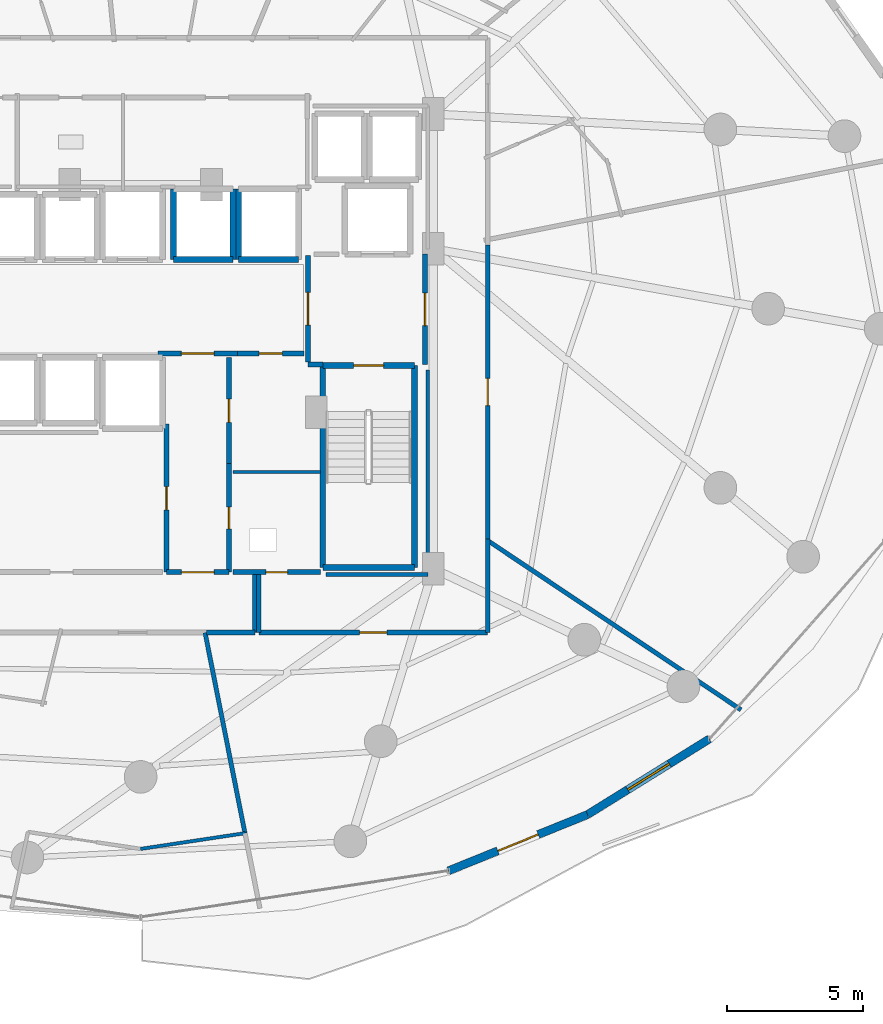
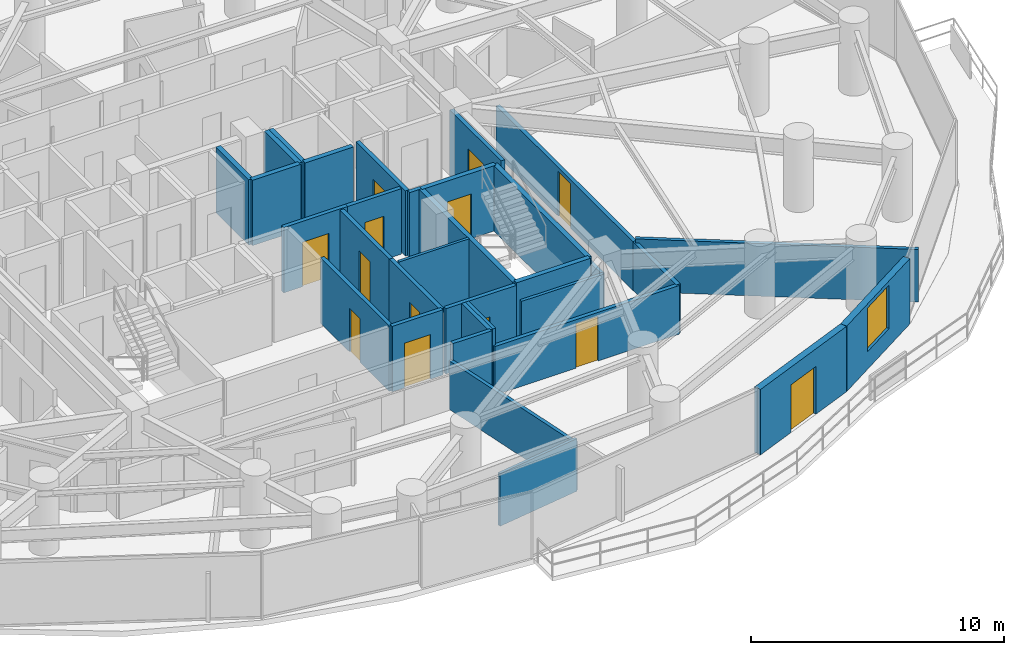
# One storey, part 28 of 34: 33 walls, 13 doors, 1 window, 14 openings.
"""IFC4 building model written with IfcOpenShell, lengths in metres."""

from ifc_helpers import new_model, si_unit, direction, frame, frame_2d, origin, place, context, subcontext, project, spatial, rectangle, extrude, material, layer, layer_set, type_object, element, fill, save


model = new_model("IFC4")

# Units and contexts
model_context = context("Model", 3, precision=1e-05, world=origin(), true_north=direction((0.0, 1.0)))
body_context = subcontext(model_context, "Body", "Model", "MODEL_VIEW")
ifc_project = project(units=[si_unit("LENGTHUNIT", "METRE"), si_unit("AREAUNIT", "SQUARE_METRE"), si_unit("VOLUMEUNIT", "CUBIC_METRE"), si_unit("PLANEANGLEUNIT", "RADIAN"), si_unit("MASSUNIT", "GRAM", prefix="KILO")], contexts=[model_context])

# Site, building, storey
site_placement = place(None, origin())
site = spatial("IfcSite", under=ifc_project, at=site_placement, CompositionType="ELEMENT")
building_placement = place(site_placement, origin())
building = spatial("IfcBuilding", under=site, at=building_placement, Name="Vorneva Point Tower", CompositionType="ELEMENT")
storey_placement = place(building_placement, frame((0.0, 0.0, 66.0)))
storey = spatial("IfcBuildingStorey", under=building, at=storey_placement, Name="L17", CompositionType="ELEMENT", Elevation=66.0)

# Wall, opening, door
ifc_material_1 = material(Name="Precast concrete B50 (C40/50)", Category="concrete")
ifc_layer_1 = layer(ifc_material_1, 0.300048828125)
ifc_layer_set_1 = layer_set([ifc_layer_1], Name="Precast concrete B50 (C40/50)")
wall_type_1 = type_object("IfcWallType", Name="WL-EXT-300", PredefinedType="STANDARD", material=ifc_layer_set_1)
wall_1_placement = place(storey_placement, frame((49.308349609375, 5.351318359375, 0.0), z_axis=(0.0, 0.0, 1.0), x_axis=(0.927095325176, 0.374825636845, 0.0)))
wall_1 = element("IfcWall", 1, at=wall_1_placement, inside=storey, type_object=wall_type_1, Name="L17 Pale-Metal Facade Spandrel Wall 14.1", PredefinedType="STANDARD", context=body_context, shape_type="SweptSolid", body=[
    extrude(rectangle(XDim=5.51025390625, YDim=0.300048828125, at=frame_2d((2.755126953125, 0.0))), origin(), (0.0, 0.0, 1.0), 3.14990234375),
])
opening_1_placement = place(wall_1_placement, frame((1.955322265625, 0.0, 0.0)))
opening_1 = element("IfcOpeningElement", 2, at=opening_1_placement, cuts=wall_1, Name="Opening BD-01", PredefinedType="OPENING", context=body_context, shape_type="SweptSolid", body=[
    extrude(rectangle(XDim=1.60009765625, YDim=2.300048828125, at=frame_2d((0.800048828125, 1.14990234375))), frame((0.0, 0.1650390625, 0.0), z_axis=(0.0, -1.0, 0.0), x_axis=(1.0, 0.0, 0.0)), (0.0, 0.0, 1.0), 0.329833984375),
])
ifc_material_2 = material(Name="Pale anodised aluminium", Category="aluminium")
door_type_1 = type_object("IfcDoorType", Name="DR-BAL-1600", OperationType="SLIDING_TO_LEFT", PredefinedType="DOOR", material=ifc_material_2)
door_1_placement = place(opening_1_placement, origin())
door_1 = element("IfcDoor", 3, at=door_1_placement, inside=storey, type_object=door_type_1, Name="L17 Balcony Terrace Access Door 14", OperationType="SLIDING_TO_LEFT", OverallHeight=2.300048828125, OverallWidth=1.60009765625, PredefinedType="DOOR", context=body_context, shape_type="SweptSolid", body=[
    extrude(rectangle(XDim=1.60009765625, YDim=2.300048828125, at=frame_2d((0.800048828125, 1.14990234375))), frame((0.0, 0.02490234375, 0.0), z_axis=(0.0, -1.0, 0.0), x_axis=(1.0, 0.0, 0.0)), (0.0, 0.0, 1.0), 0.050048828125),
])
fill(opening_1, door_1)

# Wall, opening, window
wall_2_placement = place(storey_placement, frame((54.4169921875, 7.416748046875, 0.0), z_axis=(0.0, 0.0, 1.0), x_axis=(0.849633724826, 0.527373239404, 0.0)))
wall_2 = element("IfcWall", 4, at=wall_2_placement, inside=storey, type_object=wall_type_1, Name="L17 Pale-Metal Facade Spandrel Wall 14.2", PredefinedType="STANDARD", context=body_context, shape_type="SweptSolid", body=[
    extrude(rectangle(XDim=5.2705078125, YDim=0.300048828125, at=frame_2d((2.63525390625, 0.0))), origin(), (0.0, 0.0, 1.0), 3.14990234375),
])
opening_2_placement = place(wall_2_placement, frame((1.735107421875, 0.0, 0.85009765625)))
opening_2 = element("IfcOpeningElement", 5, at=opening_2_placement, cuts=wall_2, Name="Opening W-01", PredefinedType="OPENING", context=body_context, shape_type="SweptSolid", body=[
    extrude(rectangle(XDim=1.800048828125, YDim=2.10009765625, at=frame_2d((0.89990234375, 1.050048828125))), frame((0.0, 0.1650390625, 0.0), z_axis=(0.0, -1.0, 0.0), x_axis=(1.0, 0.0, 0.0)), (0.0, 0.0, 1.0), 0.329833984375),
])
ifc_material_3 = material(Name="Double low-e laminated glass IGU", Category="glass")
window_type = type_object("IfcWindowType", Name="WN-LOG-1800", PartitioningType="SINGLE_PANEL", PredefinedType="WINDOW", material=ifc_material_3)
window_placement = place(opening_2_placement, origin())
window = element("IfcWindow", 6, at=window_placement, inside=storey, type_object=window_type, Name="L17 Facade Window 14", OverallHeight=2.10009765625, OverallWidth=1.800048828125, PartitioningType="SINGLE_PANEL", PredefinedType="WINDOW", context=body_context, shape_type="SweptSolid", body=[
    extrude(rectangle(XDim=1.800048828125, YDim=2.10009765625, at=frame_2d((0.89990234375, 1.050048828125))), frame((0.0, 0.030029296875, 0.0), z_axis=(0.0, -1.0, 0.0), x_axis=(1.0, 0.0, 0.0)), (0.0, 0.0, 1.0), 0.06005859375),
])
fill(opening_2, window)

# Walls
ifc_material_4 = material(Name="Fire-rated acoustic gypsum stud partition", Category="gypsum")
ifc_layer_2 = layer(ifc_material_4, 0.125)
ifc_layer_set_2 = layer_set([ifc_layer_2], Name="Fire-rated acoustic gypsum stud partition")
wall_type_2 = type_object("IfcWallType", Name="WL-PART-125", PredefinedType="PARTITIONING", material=ifc_layer_set_2)
wall_3_placement = place(storey_placement, frame((44.60009765625, 20.0, 0.0), z_axis=(0.0, 0.0, 1.0), x_axis=(-1.0, 0.0, 0.0)))
element("IfcWall", 7, at=wall_3_placement, inside=storey, type_object=wall_type_2, Name="L17 Interior Partition 015", PredefinedType="PARTITIONING", context=body_context, shape_type="SweptSolid", body=[
    extrude(rectangle(XDim=3.2001953125, YDim=0.125, at=frame_2d((1.60009765625, 0.0))), origin(), (0.0, 0.0, 1.0), 3.14990234375),
])
wall_4_placement = place(storey_placement, frame((38.0, 6.156005859375, 0.0), z_axis=(0.0, 0.0, 1.0), x_axis=(0.988862311426, 0.148833225599, 0.0)))
element("IfcWall", 8, at=wall_4_placement, inside=storey, type_object=wall_type_2, Name="L17 Interior Partition 087", PredefinedType="PARTITIONING", context=body_context, shape_type="SweptSolid", body=[
    extrude(rectangle(XDim=3.876220703125, YDim=0.125, at=frame_2d((1.93798828125, 0.0))), origin(), (0.0, 0.0, 1.0), 2.533935546875),
])
ifc_layer_3 = layer(ifc_material_4, 0.139892578125)
ifc_layer_set_3 = layer_set([ifc_layer_3], Name="Fire-rated acoustic gypsum stud partition")
wall_type_3 = type_object("IfcWallType", Name="WL-PART-140", PredefinedType="PARTITIONING", material=ifc_layer_set_3)
wall_5_placement = place(storey_placement, frame((48.550048828125, 23.75390625, 0.0), z_axis=(0.0, 0.0, 1.0), x_axis=(0.0, -1.0, 0.0)))
element("IfcWall", 9, at=wall_5_placement, inside=storey, type_object=wall_type_3, Name="L17 Interior Closure Partition 102", PredefinedType="PARTITIONING", context=body_context, shape_type="SweptSolid", body=[
    extrude(rectangle(XDim=7.513916015625, YDim=0.139892578125, at=frame_2d((3.7568359375, 0.0))), origin(), (0.0, 0.0, 1.0), 2.342041015625),
])
wall_6_placement = place(storey_placement, frame((48.550048828125, 16.239990234375, 0.0), z_axis=(0.0, 0.0, 1.0), x_axis=(-1.0, 0.0, 0.0)))
element("IfcWall", 10, at=wall_6_placement, inside=storey, type_object=wall_type_3, Name="L17 Interior Closure Partition 103", PredefinedType="PARTITIONING", context=body_context, shape_type="SweptSolid", body=[
    extrude(rectangle(XDim=3.7451171875, YDim=0.139892578125, at=frame_2d((1.87255859375, 0.0))), origin(), (0.0, 0.0, 1.0), 2.342041015625),
])
ifc_layer_4 = layer(ifc_material_4, 0.159912109375)
ifc_layer_set_4 = layer_set([ifc_layer_4], Name="Fire-rated acoustic gypsum stud partition")
wall_type_4 = type_object("IfcWallType", Name="WL-PART-160", PredefinedType="PARTITIONING", material=ifc_layer_set_4)
wall_7_placement = place(storey_placement, frame((41.8330078125, 6.73291015625, 0.0), z_axis=(0.0, 0.0, 1.0), x_axis=(-0.195172247164, 0.980768980921, 0.0)))
element("IfcWall", 11, at=wall_7_placement, inside=storey, type_object=wall_type_4, Name="L17 Interior Partition 089", PredefinedType="PARTITIONING", context=body_context, shape_type="SweptSolid", body=[
    extrude(rectangle(XDim=7.51171875, YDim=0.159912109375, at=frame_2d((3.755859375, 0.0))), origin(), (0.0, 0.0, 1.0), 2.342041015625),
])
wall_8_placement = place(storey_placement, frame((60.052978515625, 11.264892578125, 0.0), z_axis=(0.0, 0.0, 1.0), x_axis=(-0.831469078055, 0.555571032577, 0.0)))
element("IfcWall", 12, at=wall_8_placement, inside=storey, type_object=wall_type_4, Name="L17 Interior Partition 091", PredefinedType="PARTITIONING", context=body_context, shape_type="SweptSolid", body=[
    extrude(rectangle(XDim=11.188720703125, YDim=0.159912109375, at=frame_2d((5.59423828125, 0.0))), origin(), (0.0, 0.0, 1.0), 2.533935546875),
])

# Wall, opening, door
ifc_material_5 = material(Name="Autoclaved aerated concrete blockwork", Category="masonry")
ifc_layer_5 = layer(ifc_material_5, 0.179931640625)
ifc_layer_set_5 = layer_set([ifc_layer_5], Name="Autoclaved aerated concrete blockwork")
wall_type_5 = type_object("IfcWallType", Name="WL-PART-180", PredefinedType="PARTITIONING", material=ifc_layer_set_5)
wall_9_placement = place(storey_placement, frame((44.14990234375, 27.955078125, 0.0), z_axis=(0.0, 0.0, 1.0), x_axis=(0.0, -1.0, 0.0)))
wall_9 = element("IfcWall", 13, at=wall_9_placement, inside=storey, type_object=wall_type_5, Name="L17 Interior Partition 003", PredefinedType="PARTITIONING", context=body_context, shape_type="SweptSolid", body=[
    extrude(rectangle(XDim=3.91015625, YDim=0.179931640625, at=frame_2d((1.955078125, 0.0))), origin(), (0.0, 0.0, 1.0), 3.14990234375),
])
opening_3_placement = place(wall_9_placement, frame((1.35498046875, 0.0, 0.0)))
opening_3 = element("IfcOpeningElement", 14, at=opening_3_placement, cuts=wall_9, Name="Opening FD-02", PredefinedType="OPENING", context=body_context, shape_type="SweptSolid", body=[
    extrude(rectangle(XDim=1.199951171875, YDim=2.14990234375, at=frame_2d((0.60009765625, 1.074951171875))), frame((0.0, 0.10498046875, 0.0), z_axis=(0.0, -1.0, 0.0), x_axis=(1.0, 0.0, 0.0)), (0.0, 0.0, 1.0), 0.209716796875),
])
ifc_material_6 = material(Name="Fire-rated powder-coated steel", Category="steel")
door_type_2 = type_object("IfcDoorType", Name="DR-FFL-1200", OperationType="NOTDEFINED", PredefinedType="DOOR", material=ifc_material_6)
door_2_placement = place(opening_3_placement, origin())
door_2 = element("IfcDoor", 15, at=door_2_placement, inside=storey, type_object=door_type_2, Name="L17 Door East Firefighting Lobby / Central Lift Lobby", OperationType="SINGLE_SWING_LEFT", OverallHeight=2.14990234375, OverallWidth=1.199951171875, PredefinedType="DOOR", context=body_context, shape_type="SweptSolid", body=[
    extrude(rectangle(XDim=1.199951171875, YDim=2.14990234375, at=frame_2d((0.60009765625, 1.074951171875))), frame((0.0, 0.02490234375, 0.0), z_axis=(0.0, -1.0, 0.0), x_axis=(1.0, 0.0, 0.0)), (0.0, 0.0, 1.0), 0.050048828125),
])
fill(opening_3, door_2)

# Wall
wall_10_placement = place(storey_placement, frame((44.14990234375, 23.949951171875, 0.0), z_axis=(0.0, 0.0, 1.0), x_axis=(1.0, 0.0, 0.0)))
element("IfcWall", 16, at=wall_10_placement, inside=storey, type_object=wall_type_5, Name="L17 Interior Partition 004", PredefinedType="PARTITIONING", context=body_context, shape_type="SweptSolid", body=[
    extrude(rectangle(XDim=0.5400390625, YDim=0.179931640625, at=frame_2d((0.27001953125, 0.0))), origin(), (0.0, 0.0, 1.0), 3.14990234375),
])

# Wall, opening, door
wall_11_placement = place(storey_placement, frame((48.449951171875, 23.949951171875, 0.0), z_axis=(0.0, 0.0, 1.0), x_axis=(0.0, 1.0, 0.0)))
wall_11 = element("IfcWall", 17, at=wall_11_placement, inside=storey, type_object=wall_type_5, Name="L17 Interior Partition 005", PredefinedType="PARTITIONING", context=body_context, shape_type="SweptSolid", body=[
    extrude(rectangle(XDim=4.050048828125, YDim=0.179931640625, at=frame_2d((2.02490234375, 0.0))), origin(), (0.0, 0.0, 1.0), 3.14990234375),
])
opening_4_placement = place(wall_11_placement, frame((1.425048828125, 0.0, 0.0)))
opening_4 = element("IfcOpeningElement", 18, at=opening_4_placement, cuts=wall_11, Name="Opening FD-02", PredefinedType="OPENING", context=body_context, shape_type="SweptSolid", body=[
    extrude(rectangle(XDim=1.199951171875, YDim=2.14990234375, at=frame_2d((0.60009765625, 1.074951171875))), frame((0.0, 0.10498046875, 0.0), z_axis=(0.0, -1.0, 0.0), x_axis=(1.0, 0.0, 0.0)), (0.0, 0.0, 1.0), 0.209716796875),
])
door_3_placement = place(opening_4_placement, origin())
door_3 = element("IfcDoor", 19, at=door_3_placement, inside=storey, type_object=door_type_2, Name="L17 Door East Firefighting Lobby / L17 Circulation Corridor", OperationType="SINGLE_SWING_LEFT", OverallHeight=2.14990234375, OverallWidth=1.199951171875, PredefinedType="DOOR", context=body_context, shape_type="SweptSolid", body=[
    extrude(rectangle(XDim=1.199951171875, YDim=2.14990234375, at=frame_2d((0.60009765625, 1.074951171875))), frame((0.0, 0.02490234375, 0.0), z_axis=(0.0, -1.0, 0.0), x_axis=(1.0, 0.0, 0.0)), (0.0, 0.0, 1.0), 0.050048828125),
])
fill(opening_4, door_3)

wall_12_placement = place(storey_placement, frame((38.64501953125, 24.35009765625, 0.0), z_axis=(0.0, 0.0, 1.0), x_axis=(1.0, 0.0, 0.0)))
wall_12 = element("IfcWall", 20, at=wall_12_placement, inside=storey, type_object=wall_type_5, Name="L17 Interior Partition 009", PredefinedType="PARTITIONING", context=body_context, shape_type="SweptSolid", body=[
    extrude(rectangle(XDim=2.909912109375, YDim=0.179931640625, at=frame_2d((1.455078125, 0.0))), origin(), (0.0, 0.0, 1.0), 3.14990234375),
])
opening_5_placement = place(wall_12_placement, frame((0.85498046875, 0.0, 0.0)))
opening_5 = element("IfcOpeningElement", 21, at=opening_5_placement, cuts=wall_12, Name="Opening FD-02", PredefinedType="OPENING", context=body_context, shape_type="SweptSolid", body=[
    extrude(rectangle(XDim=1.199951171875, YDim=2.14990234375, at=frame_2d((0.60009765625, 1.074951171875))), frame((0.0, 0.10498046875, 0.0), z_axis=(0.0, -1.0, 0.0), x_axis=(1.0, 0.0, 0.0)), (0.0, 0.0, 1.0), 0.209716796875),
])
door_4_placement = place(opening_5_placement, origin())
door_4 = element("IfcDoor", 22, at=door_4_placement, inside=storey, type_object=door_type_2, Name="L17 Door Central Lift Lobby / Core Service Lobby", OperationType="SINGLE_SWING_RIGHT", OverallHeight=2.14990234375, OverallWidth=1.199951171875, PredefinedType="DOOR", context=body_context, shape_type="SweptSolid", body=[
    extrude(rectangle(XDim=1.199951171875, YDim=2.14990234375, at=frame_2d((0.60009765625, 1.074951171875))), frame((0.0, 0.02490234375, 0.0), z_axis=(0.0, -1.0, 0.0), x_axis=(1.0, 0.0, 0.0)), (0.0, 0.0, 1.0), 0.050048828125),
])
fill(opening_5, door_4)

wall_13_placement = place(storey_placement, frame((41.554931640625, 24.35009765625, 0.0), z_axis=(0.0, 0.0, 1.0), x_axis=(1.0, 0.0, 0.0)))
wall_13 = element("IfcWall", 23, at=wall_13_placement, inside=storey, type_object=wall_type_5, Name="L17 Interior Partition 010", PredefinedType="PARTITIONING", context=body_context, shape_type="SweptSolid", body=[
    extrude(rectangle(XDim=2.445068359375, YDim=0.179931640625, at=frame_2d((1.22265625, 0.0))), origin(), (0.0, 0.0, 1.0), 3.14990234375),
])
opening_6_placement = place(wall_13_placement, frame((0.797607421875, 0.0, 0.0)))
opening_6 = element("IfcOpeningElement", 24, at=opening_6_placement, cuts=wall_13, Name="Opening ID-02", PredefinedType="OPENING", context=body_context, shape_type="SweptSolid", body=[
    extrude(rectangle(XDim=0.85009765625, YDim=2.10009765625, at=frame_2d((0.425048828125, 1.050048828125))), frame((0.0, 0.10498046875, 0.0), z_axis=(0.0, -1.0, 0.0), x_axis=(1.0, 0.0, 0.0)), (0.0, 0.0, 1.0), 0.209716796875),
])
ifc_material_7 = material(Name="Engineered oak fire-rated door leaf", Category="wood")
door_type_3 = type_object("IfcDoorType", Name="DR-BATH-850", OperationType="NOTDEFINED", PredefinedType="DOOR", material=ifc_material_7)
door_5_placement = place(opening_6_placement, origin())
door_5 = element("IfcDoor", 25, at=door_5_placement, inside=storey, type_object=door_type_3, Name="L17 Door Central Lift Lobby / Cleaners Store", OperationType="SINGLE_SWING_LEFT", OverallHeight=2.10009765625, OverallWidth=0.85009765625, PredefinedType="DOOR", context=body_context, shape_type="SweptSolid", body=[
    extrude(rectangle(XDim=0.85009765625, YDim=2.10009765625, at=frame_2d((0.425048828125, 1.050048828125))), frame((0.0, 0.02490234375, 0.0), z_axis=(0.0, -1.0, 0.0), x_axis=(1.0, 0.0, 0.0)), (0.0, 0.0, 1.0), 0.050048828125),
])
fill(opening_6, door_5)

wall_14_placement = place(storey_placement, frame((41.25, 16.320068359375, 0.0), z_axis=(0.0, 0.0, 1.0), x_axis=(0.0, 1.0, 0.0)))
wall_14 = element("IfcWall", 26, at=wall_14_placement, inside=storey, type_object=wall_type_5, Name="L17 Interior Partition 011", PredefinedType="PARTITIONING", context=body_context, shape_type="SweptSolid", body=[
    extrude(rectangle(XDim=3.98486328125, YDim=0.179931640625, at=frame_2d((1.992431640625, 0.0))), origin(), (0.0, 0.0, 1.0), 3.14990234375),
])
opening_7_placement = place(wall_14_placement, frame((1.592529296875, 0.0, 0.0)))
opening_7 = element("IfcOpeningElement", 27, at=opening_7_placement, cuts=wall_14, Name="Opening RD-01", PredefinedType="OPENING", context=body_context, shape_type="SweptSolid", body=[
    extrude(rectangle(XDim=0.800048828125, YDim=2.050048828125, at=frame_2d((0.39990234375, 1.02490234375))), frame((0.0, 0.10498046875, 0.0), z_axis=(0.0, -1.0, 0.0), x_axis=(1.0, 0.0, 0.0)), (0.0, 0.0, 1.0), 0.209716796875),
])
door_type_4 = type_object("IfcDoorType", Name="DR-RSR-800", OperationType="SINGLE_SWING_LEFT", PredefinedType="DOOR", material=ifc_material_6)
door_6_placement = place(opening_7_placement, origin())
door_6 = element("IfcDoor", 28, at=door_6_placement, inside=storey, type_object=door_type_4, Name="L17 Door Core Service Lobby / Electrical Riser", OperationType="SINGLE_SWING_RIGHT", OverallHeight=2.050048828125, OverallWidth=0.800048828125, PredefinedType="DOOR", context=body_context, shape_type="SweptSolid", body=[
    extrude(rectangle(XDim=0.800048828125, YDim=2.050048828125, at=frame_2d((0.39990234375, 1.02490234375))), frame((0.0, 0.02490234375, 0.0), z_axis=(0.0, -1.0, 0.0), x_axis=(1.0, 0.0, 0.0)), (0.0, 0.0, 1.0), 0.050048828125),
])
fill(opening_7, door_6)

wall_15_placement = place(storey_placement, frame((41.25, 20.304931640625, 0.0), z_axis=(0.0, 0.0, 1.0), x_axis=(0.0, 1.0, 0.0)))
wall_15 = element("IfcWall", 29, at=wall_15_placement, inside=storey, type_object=wall_type_5, Name="L17 Interior Partition 012", PredefinedType="PARTITIONING", context=body_context, shape_type="SweptSolid", body=[
    extrude(rectangle(XDim=3.89501953125, YDim=0.179931640625, at=frame_2d((1.947509765625, 0.0))), origin(), (0.0, 0.0, 1.0), 3.14990234375),
])
opening_8_placement = place(wall_15_placement, frame((1.5224609375, 0.0, 0.0)))
opening_8 = element("IfcOpeningElement", 30, at=opening_8_placement, cuts=wall_15, Name="Opening ID-02", PredefinedType="OPENING", context=body_context, shape_type="SweptSolid", body=[
    extrude(rectangle(XDim=0.85009765625, YDim=2.10009765625, at=frame_2d((0.425048828125, 1.050048828125))), frame((0.0, 0.10498046875, 0.0), z_axis=(0.0, -1.0, 0.0), x_axis=(1.0, 0.0, 0.0)), (0.0, 0.0, 1.0), 0.209716796875),
])
door_7_placement = place(opening_8_placement, origin())
door_7 = element("IfcDoor", 31, at=door_7_placement, inside=storey, type_object=door_type_3, Name="L17 Door Core Service Lobby / Cleaners Store", OperationType="SINGLE_SWING_LEFT", OverallHeight=2.10009765625, OverallWidth=0.85009765625, PredefinedType="DOOR", context=body_context, shape_type="SweptSolid", body=[
    extrude(rectangle(XDim=0.85009765625, YDim=2.10009765625, at=frame_2d((0.425048828125, 1.050048828125))), frame((0.0, 0.02490234375, 0.0), z_axis=(0.0, -1.0, 0.0), x_axis=(1.0, 0.0, 0.0)), (0.0, 0.0, 1.0), 0.050048828125),
])
fill(opening_8, door_7)

wall_16_placement = place(storey_placement, frame((38.949951171875, 21.7548828125, 0.0), z_axis=(0.0, 0.0, 1.0), x_axis=(0.0, -1.0, 0.0)))
wall_16 = element("IfcWall", 32, at=wall_16_placement, inside=storey, type_object=wall_type_5, Name="L17 Interior Partition 013", PredefinedType="PARTITIONING", context=body_context, shape_type="SweptSolid", body=[
    extrude(rectangle(XDim=5.434814453125, YDim=0.179931640625, at=frame_2d((2.71728515625, 0.0))), origin(), (0.0, 0.0, 1.0), 3.14990234375),
])
opening_9_placement = place(wall_16_placement, frame((2.29248046875, 0.0, 0.0)))
opening_9 = element("IfcOpeningElement", 33, at=opening_9_placement, cuts=wall_16, Name="Opening ID-02", PredefinedType="OPENING", context=body_context, shape_type="SweptSolid", body=[
    extrude(rectangle(XDim=0.85009765625, YDim=2.10009765625, at=frame_2d((0.425048828125, 1.050048828125))), frame((0.0, 0.10498046875, 0.0), z_axis=(0.0, -1.0, 0.0), x_axis=(1.0, 0.0, 0.0)), (0.0, 0.0, 1.0), 0.209716796875),
])
door_8_placement = place(opening_9_placement, origin())
door_8 = element("IfcDoor", 34, at=door_8_placement, inside=storey, type_object=door_type_3, Name="L17 Door Core Service Lobby / Housekeeping and Linen Room", OperationType="SINGLE_SWING_RIGHT", OverallHeight=2.10009765625, OverallWidth=0.85009765625, PredefinedType="DOOR", context=body_context, shape_type="SweptSolid", body=[
    extrude(rectangle(XDim=0.85009765625, YDim=2.10009765625, at=frame_2d((0.425048828125, 1.050048828125))), frame((0.0, 0.02490234375, 0.0), z_axis=(0.0, -1.0, 0.0), x_axis=(1.0, 0.0, 0.0)), (0.0, 0.0, 1.0), 0.050048828125),
])
fill(opening_9, door_8)

wall_17_placement = place(storey_placement, frame((38.949951171875, 16.320068359375, 0.0), z_axis=(0.0, 0.0, 1.0), x_axis=(1.0, 0.0, 0.0)))
wall_17 = element("IfcWall", 35, at=wall_17_placement, inside=storey, type_object=wall_type_5, Name="L17 Interior Partition 014", PredefinedType="PARTITIONING", context=body_context, shape_type="SweptSolid", body=[
    extrude(rectangle(XDim=2.300048828125, YDim=0.179931640625, at=frame_2d((1.14990234375, 0.0))), origin(), (0.0, 0.0, 1.0), 3.14990234375),
])
opening_10_placement = place(wall_17_placement, frame((0.550048828125, 0.0, 0.0)))
opening_10 = element("IfcOpeningElement", 36, at=opening_10_placement, cuts=wall_17, Name="Opening FD-02", PredefinedType="OPENING", context=body_context, shape_type="SweptSolid", body=[
    extrude(rectangle(XDim=1.199951171875, YDim=2.14990234375, at=frame_2d((0.60009765625, 1.074951171875))), frame((0.0, 0.10498046875, 0.0), z_axis=(0.0, -1.0, 0.0), x_axis=(1.0, 0.0, 0.0)), (0.0, 0.0, 1.0), 0.209716796875),
])
door_9_placement = place(opening_10_placement, origin())
door_9 = element("IfcDoor", 37, at=door_9_placement, inside=storey, type_object=door_type_2, Name="L17 Door Core Service Lobby / L17 Circulation Corridor", OperationType="SINGLE_SWING_LEFT", OverallHeight=2.14990234375, OverallWidth=1.199951171875, PredefinedType="DOOR", context=body_context, shape_type="SweptSolid", body=[
    extrude(rectangle(XDim=1.199951171875, YDim=2.14990234375, at=frame_2d((0.60009765625, 1.074951171875))), frame((0.0, 0.02490234375, 0.0), z_axis=(0.0, -1.0, 0.0), x_axis=(1.0, 0.0, 0.0)), (0.0, 0.0, 1.0), 0.050048828125),
])
fill(opening_10, door_9)

wall_18_placement = place(storey_placement, frame((41.39990234375, 16.320068359375, 0.0), z_axis=(0.0, 0.0, 1.0), x_axis=(1.0, 0.0, 0.0)))
wall_18 = element("IfcWall", 38, at=wall_18_placement, inside=storey, type_object=wall_type_5, Name="L17 Interior Partition 016", PredefinedType="PARTITIONING", context=body_context, shape_type="SweptSolid", body=[
    extrude(rectangle(XDim=3.2001953125, YDim=0.179931640625, at=frame_2d((1.60009765625, 0.0))), origin(), (0.0, 0.0, 1.0), 3.14990234375),
])
opening_11_placement = place(wall_18_placement, frame((1.199951171875, 0.0, 0.0)))
opening_11 = element("IfcOpeningElement", 39, at=opening_11_placement, cuts=wall_18, Name="Opening RD-01", PredefinedType="OPENING", context=body_context, shape_type="SweptSolid", body=[
    extrude(rectangle(XDim=0.800048828125, YDim=2.050048828125, at=frame_2d((0.39990234375, 1.02490234375))), frame((0.0, 0.10498046875, 0.0), z_axis=(0.0, -1.0, 0.0), x_axis=(1.0, 0.0, 0.0)), (0.0, 0.0, 1.0), 0.209716796875),
])
door_10_placement = place(opening_11_placement, origin())
door_10 = element("IfcDoor", 40, at=door_10_placement, inside=storey, type_object=door_type_4, Name="L17 Door Electrical Riser / L17 Circulation Corridor", OperationType="SINGLE_SWING_RIGHT", OverallHeight=2.050048828125, OverallWidth=0.800048828125, PredefinedType="DOOR", context=body_context, shape_type="SweptSolid", body=[
    extrude(rectangle(XDim=0.800048828125, YDim=2.050048828125, at=frame_2d((0.39990234375, 1.02490234375))), frame((0.0, 0.02490234375, 0.0), z_axis=(0.0, -1.0, 0.0), x_axis=(1.0, 0.0, 0.0)), (0.0, 0.0, 1.0), 0.050048828125),
])
fill(opening_11, door_10)

# Wall
wall_19_placement = place(storey_placement, frame((42.340087890625, 16.239990234375, 0.0), z_axis=(0.0, 0.0, 1.0), x_axis=(0.0, -1.0, 0.0)))
element("IfcWall", 41, at=wall_19_placement, inside=storey, type_object=wall_type_5, Name="L17 Interior Partition 043", PredefinedType="PARTITIONING", context=body_context, shape_type="SweptSolid", body=[
    extrude(rectangle(XDim=2.139892578125, YDim=0.179931640625, at=frame_2d((1.06982421875, 0.0))), origin(), (0.0, 0.0, 1.0), 3.14990234375),
])

# Wall, opening, door
wall_20_placement = place(storey_placement, frame((42.340087890625, 14.10009765625, 0.0), z_axis=(0.0, 0.0, 1.0), x_axis=(1.0, 0.0, 0.0)))
wall_20 = element("IfcWall", 42, at=wall_20_placement, inside=storey, type_object=wall_type_5, Name="L17 Interior Partition 044", PredefinedType="PARTITIONING", context=body_context, shape_type="SweptSolid", body=[
    extrude(rectangle(XDim=8.409912109375, YDim=0.179931640625, at=frame_2d((4.205078125, 0.0))), origin(), (0.0, 0.0, 1.0), 2.342041015625),
])
opening_12_placement = place(wall_20_placement, frame((3.705078125, 0.0, 0.0)))
opening_12 = element("IfcOpeningElement", 43, at=opening_12_placement, cuts=wall_20, Name="Opening UD-01", PredefinedType="OPENING", context=body_context, shape_type="SweptSolid", body=[
    extrude(rectangle(XDim=1.0, YDim=2.14990234375, at=frame_2d((0.5, 1.074951171875))), frame((0.0, 0.10498046875, 0.0), z_axis=(0.0, -1.0, 0.0), x_axis=(1.0, 0.0, 0.0)), (0.0, 0.0, 1.0), 0.209716796875),
])
door_type_5 = type_object("IfcDoorType", Name="DR-UNIT-1000", OperationType="NOTDEFINED", PredefinedType="DOOR", material=ifc_material_7)
door_11_placement = place(opening_12_placement, origin())
door_11 = element("IfcDoor", 44, at=door_11_placement, inside=storey, type_object=door_type_5, Name="L17 Door L17 Circulation Corridor / Executive Meeting Room L17-10", OperationType="SINGLE_SWING_LEFT", OverallHeight=2.14990234375, OverallWidth=1.0, PredefinedType="DOOR", context=body_context, shape_type="SweptSolid", body=[
    extrude(rectangle(XDim=1.0, YDim=2.14990234375, at=frame_2d((0.5, 1.074951171875))), frame((0.0, 0.02490234375, 0.0), z_axis=(0.0, -1.0, 0.0), x_axis=(1.0, 0.0, 0.0)), (0.0, 0.0, 1.0), 0.050048828125),
])
fill(opening_12, door_11)

# Walls
wall_21_placement = place(storey_placement, frame((50.75, 14.10009765625, 0.0), z_axis=(0.0, 0.0, 1.0), x_axis=(0.0, 1.0, 0.0)))
element("IfcWall", 45, at=wall_21_placement, inside=storey, type_object=wall_type_5, Name="L17 Interior Partition 045", PredefinedType="PARTITIONING", context=body_context, shape_type="SweptSolid", body=[
    extrude(rectangle(XDim=3.44091796875, YDim=0.179931640625, at=frame_2d((1.720458984375, 0.0))), origin(), (0.0, 0.0, 1.0), 2.342041015625),
])
wall_22_placement = place(storey_placement, frame((40.427978515625, 14.10009765625, 0.0), z_axis=(0.0, 0.0, 1.0), x_axis=(1.0, 0.0, 0.0)))
element("IfcWall", 46, at=wall_22_placement, inside=storey, type_object=wall_type_5, Name="L17 Interior Partition 046", PredefinedType="PARTITIONING", context=body_context, shape_type="SweptSolid", body=[
    extrude(rectangle(XDim=1.77197265625, YDim=0.179931640625, at=frame_2d((0.885986328125, 0.0))), origin(), (0.0, 0.0, 1.0), 3.14990234375),
])
wall_23_placement = place(storey_placement, frame((42.199951171875, 14.10009765625, 0.0), z_axis=(0.0, 0.0, 1.0), x_axis=(0.0, 1.0, 0.0)))
element("IfcWall", 47, at=wall_23_placement, inside=storey, type_object=wall_type_5, Name="L17 Interior Partition 047", PredefinedType="PARTITIONING", context=body_context, shape_type="SweptSolid", body=[
    extrude(rectangle(XDim=2.139892578125, YDim=0.179931640625, at=frame_2d((1.06982421875, 0.0))), origin(), (0.0, 0.0, 1.0), 3.14990234375),
])

# Wall, opening, door
wall_24_placement = place(storey_placement, frame((50.75, 17.541015625, 0.0), z_axis=(0.0, 0.0, 1.0), x_axis=(0.0, 1.0, 0.0)))
wall_24 = element("IfcWall", 48, at=wall_24_placement, inside=storey, type_object=wall_type_5, Name="L17 Interior Partition 048", PredefinedType="PARTITIONING", context=body_context, shape_type="SweptSolid", body=[
    extrude(rectangle(XDim=10.794921875, YDim=0.179931640625, at=frame_2d((5.3974609375, 0.0))), origin(), (0.0, 0.0, 1.0), 2.342041015625),
])
opening_13_placement = place(wall_24_placement, frame((4.8974609375, 0.0, 0.0)))
opening_13 = element("IfcOpeningElement", 49, at=opening_13_placement, cuts=wall_24, Name="Opening UD-01", PredefinedType="OPENING", context=body_context, shape_type="SweptSolid", body=[
    extrude(rectangle(XDim=1.0, YDim=2.14990234375, at=frame_2d((0.5, 1.074951171875))), frame((0.0, 0.10498046875, 0.0), z_axis=(0.0, -1.0, 0.0), x_axis=(1.0, 0.0, 0.0)), (0.0, 0.0, 1.0), 0.209716796875),
])
door_12_placement = place(opening_13_placement, origin())
door_12 = element("IfcDoor", 50, at=door_12_placement, inside=storey, type_object=door_type_5, Name="L17 Door L17 Circulation Corridor / Executive Meeting Room L17-11", OperationType="SINGLE_SWING_RIGHT", OverallHeight=2.14990234375, OverallWidth=1.0, PredefinedType="DOOR", context=body_context, shape_type="SweptSolid", body=[
    extrude(rectangle(XDim=1.0, YDim=2.14990234375, at=frame_2d((0.5, 1.074951171875))), frame((0.0, 0.02490234375, 0.0), z_axis=(0.0, -1.0, 0.0), x_axis=(1.0, 0.0, 0.0)), (0.0, 0.0, 1.0), 0.050048828125),
])
fill(opening_13, door_12)

ifc_material_8 = material(Name="Concrete B50 (C40/50)", Category="concrete")
ifc_layer_6 = layer(ifc_material_8, 0.219970703125)
ifc_layer_set_6 = layer_set([ifc_layer_6], Name="Concrete B50 (C40/50)")
wall_type_6 = type_object("IfcWallType", Name="WL-SHFT-220", PredefinedType="SOLIDWALL", material=ifc_layer_set_6)
wall_25_placement = place(storey_placement, frame((44.68994140625, 23.909912109375, 0.0), z_axis=(0.0, 0.0, 1.0), x_axis=(1.0, 0.0, 0.0)))
wall_25 = element("IfcWall", 51, at=wall_25_placement, inside=storey, type_object=wall_type_6, Name="L17 Exit Stair ST2 Shaft Wall near", PredefinedType="SOLIDWALL", context=body_context, shape_type="SweptSolid", body=[
    extrude(rectangle(XDim=3.3701171875, YDim=0.219970703125, at=frame_2d((1.68505859375, 0.0))), origin(), (0.0, 0.0, 1.0), 3.14990234375),
])
opening_14_placement = place(wall_25_placement, frame((1.135009765625, 0.0, 0.0)))
opening_14 = element("IfcOpeningElement", 52, at=opening_14_placement, cuts=wall_25, Name="Opening FD-01", PredefinedType="OPENING", context=body_context, shape_type="SweptSolid", body=[
    extrude(rectangle(XDim=1.10009765625, YDim=2.14990234375, at=frame_2d((0.550048828125, 1.074951171875))), frame((0.0, 0.125, 0.0), z_axis=(0.0, -1.0, 0.0), x_axis=(1.0, 0.0, 0.0)), (0.0, 0.0, 1.0), 0.249755859375),
])
door_type_6 = type_object("IfcDoorType", Name="DR-STAIR-1100", OperationType="NOTDEFINED", PredefinedType="DOOR", material=ifc_material_6)
door_13_placement = place(opening_14_placement, origin())
door_13 = element("IfcDoor", 53, at=door_13_placement, inside=storey, type_object=door_type_6, Name="L17 Exit Stair ST2 Fire Door", OperationType="SINGLE_SWING_RIGHT", OverallHeight=2.14990234375, OverallWidth=1.10009765625, PredefinedType="DOOR", context=body_context, shape_type="SweptSolid", body=[
    extrude(rectangle(XDim=1.10009765625, YDim=2.14990234375, at=frame_2d((0.550048828125, 1.074951171875))), frame((0.0, 0.02490234375, 0.0), z_axis=(0.0, -1.0, 0.0), x_axis=(1.0, 0.0, 0.0)), (0.0, 0.0, 1.0), 0.050048828125),
])
fill(opening_14, door_13)

# Walls
wall_26_placement = place(storey_placement, frame((48.06005859375, 23.909912109375, 0.0), z_axis=(0.0, 0.0, 1.0), x_axis=(0.0, -1.0, 0.0)))
element("IfcWall", 54, at=wall_26_placement, inside=storey, type_object=wall_type_6, Name="L17 Exit Stair ST2 Shaft Wall right", PredefinedType="SOLIDWALL", context=body_context, shape_type="SweptSolid", body=[
    extrude(rectangle(XDim=7.419921875, YDim=0.219970703125, at=frame_2d((3.7099609375, 0.0))), origin(), (0.0, 0.0, 1.0), 3.14990234375),
])
wall_27_placement = place(storey_placement, frame((48.06005859375, 16.489990234375, 0.0), z_axis=(0.0, 0.0, 1.0), x_axis=(-1.0, 0.0, 0.0)))
element("IfcWall", 55, at=wall_27_placement, inside=storey, type_object=wall_type_6, Name="L17 Exit Stair ST2 Shaft Wall far", PredefinedType="SOLIDWALL", context=body_context, shape_type="SweptSolid", body=[
    extrude(rectangle(XDim=3.3701171875, YDim=0.219970703125, at=frame_2d((1.68505859375, 0.0))), origin(), (0.0, 0.0, 1.0), 3.14990234375),
])
wall_28_placement = place(storey_placement, frame((44.68994140625, 16.489990234375, 0.0), z_axis=(0.0, 0.0, 1.0), x_axis=(0.0, 1.0, 0.0)))
element("IfcWall", 56, at=wall_28_placement, inside=storey, type_object=wall_type_6, Name="L17 Exit Stair ST2 Shaft Wall left", PredefinedType="SOLIDWALL", context=body_context, shape_type="SweptSolid", body=[
    extrude(rectangle(XDim=7.419921875, YDim=0.219970703125, at=frame_2d((3.7099609375, 0.0))), origin(), (0.0, 0.0, 1.0), 3.14990234375),
])
wall_29_placement = place(storey_placement, frame((39.199951171875, 27.800048828125, 0.0), z_axis=(0.0, 0.0, 1.0), x_axis=(1.0, 0.0, 0.0)))
element("IfcWall", 57, at=wall_29_placement, inside=storey, type_object=wall_type_6, Name="L17 Lift PL7 Shaft Wall -Y", PredefinedType="SOLIDWALL", context=body_context, shape_type="SweptSolid", body=[
    extrude(rectangle(XDim=2.199951171875, YDim=0.219970703125, at=frame_2d((1.10009765625, 0.0))), origin(), (0.0, 0.0, 1.0), 3.14990234375),
])
for number, where, z_axis, x_axis, name in (
    (58, (41.39990234375, 27.800048828125, 0.0), (0.0, 0.0, 1.0), (0.0, 1.0, 0.0), "L17 Lift PL7 Shaft Wall +X"),
    (59, (39.199951171875, 30.39990234375, 0.0), (0.0, 0.0, 1.0), (0.0, -1.0, 0.0), "L17 Lift PL7 Shaft Wall -X"),
):
    element("IfcWall", number, at=place(storey_placement, frame(where, z_axis=z_axis, x_axis=x_axis)), inside=storey, type_object=wall_type_6, Name=name, PredefinedType="SOLIDWALL", context=body_context, shape_type="SweptSolid", body=[
        extrude(rectangle(XDim=2.599853515625, YDim=0.219970703125, at=frame_2d((1.2998046875, 0.0))), origin(), (0.0, 0.0, 1.0), 3.14990234375),
    ])
wall_30_placement = place(storey_placement, frame((41.60009765625, 27.800048828125, 0.0), z_axis=(0.0, 0.0, 1.0), x_axis=(1.0, 0.0, 0.0)))
element("IfcWall", 60, at=wall_30_placement, inside=storey, type_object=wall_type_6, Name="L17 Lift PL8 Shaft Wall -Y", PredefinedType="SOLIDWALL", context=body_context, shape_type="SweptSolid", body=[
    extrude(rectangle(XDim=2.199951171875, YDim=0.219970703125, at=frame_2d((1.10009765625, 0.0))), origin(), (0.0, 0.0, 1.0), 3.14990234375),
])
wall_31_placement = place(storey_placement, frame((41.60009765625, 30.39990234375, 0.0), z_axis=(0.0, 0.0, 1.0), x_axis=(0.0, -1.0, 0.0)))
element("IfcWall", 61, at=wall_31_placement, inside=storey, type_object=wall_type_6, Name="L17 Lift PL8 Shaft Wall -X", PredefinedType="SOLIDWALL", context=body_context, shape_type="SweptSolid", body=[
    extrude(rectangle(XDim=2.599853515625, YDim=0.219970703125, at=frame_2d((1.2998046875, 0.0))), origin(), (0.0, 0.0, 1.0), 3.14990234375),
])

save(model, "model.ifc")
